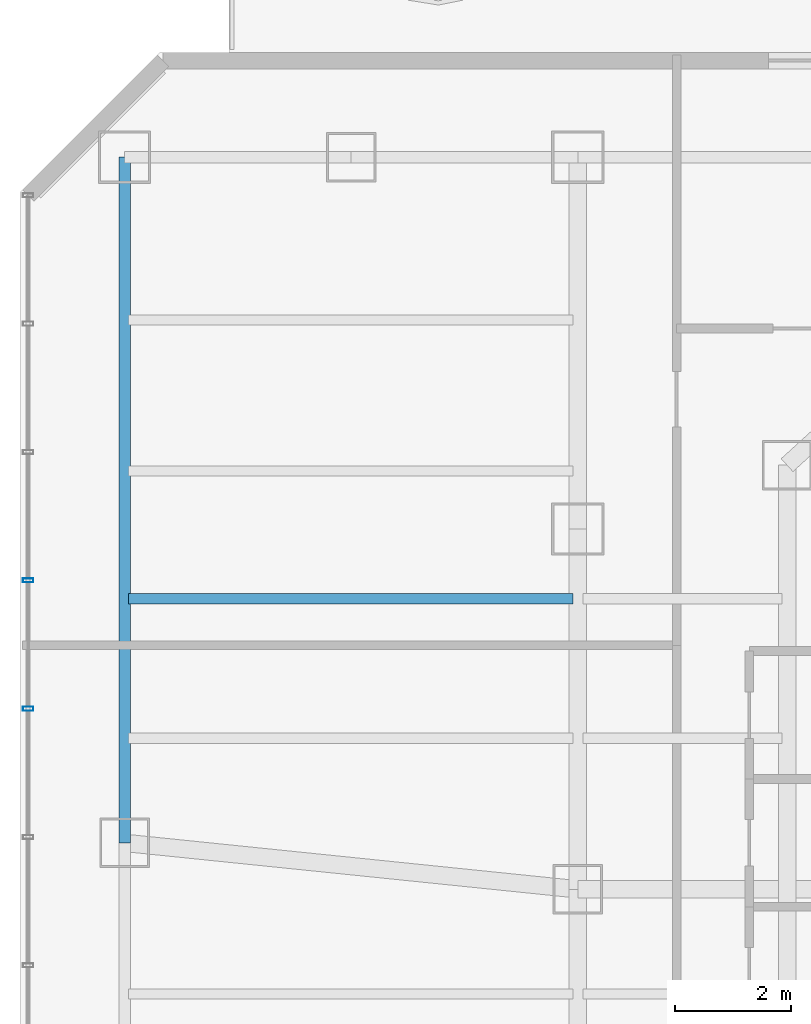
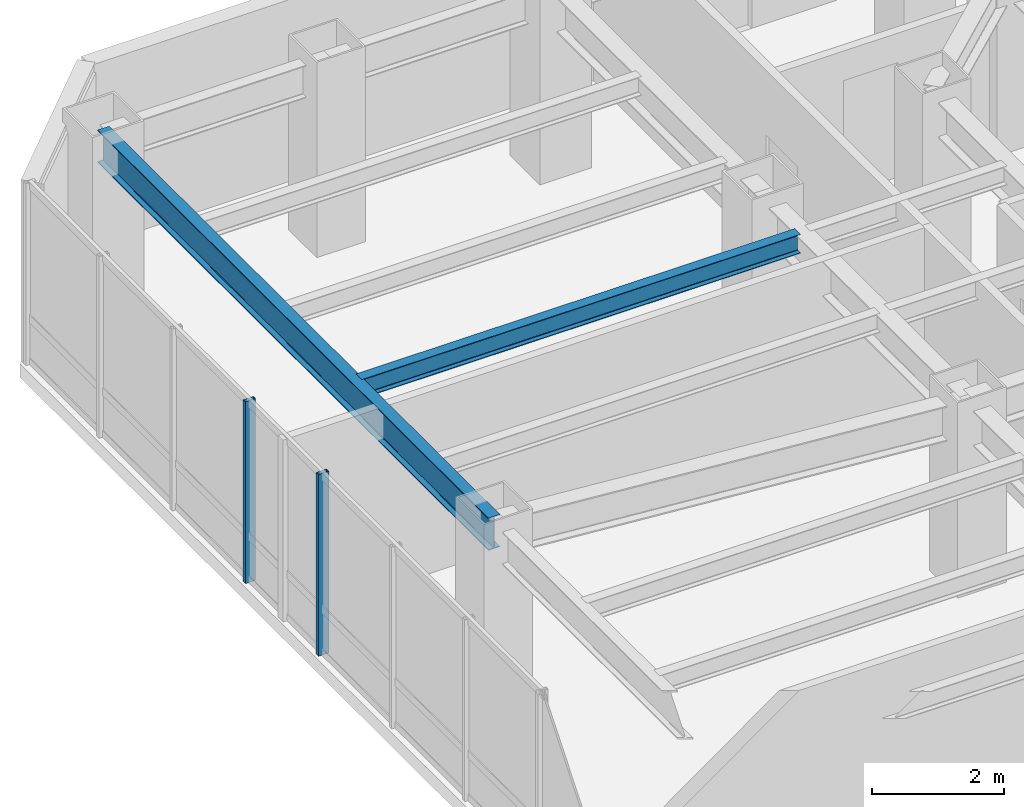
# One storey, part 15 of 30: 2 beams, 2 members, 1 element without a shape of its own.
"""IFC4 building model written with IfcOpenShell, lengths in metres."""

from ifc_helpers import new_model, si_unit, direction, frame, origin, origin_2d, place, context, subcontext, project, spatial, hollow_rectangle, i_section, extrude, material, layer, layer_set, material_profile, profile_set, type_object, element, aggregate, save


model = new_model("IFC4")

# Units and contexts
model_context = context("Model", 3, precision=1e-05, world=origin(), true_north=direction((0.0, 1.0)))
body_context = subcontext(model_context, "Body", "Model", "MODEL_VIEW")
ifc_project = project(units=[si_unit("LENGTHUNIT", "METRE"), si_unit("AREAUNIT", "SQUARE_METRE"), si_unit("VOLUMEUNIT", "CUBIC_METRE"), si_unit("PLANEANGLEUNIT", "RADIAN"), si_unit("MASSUNIT", "GRAM", prefix="KILO")], contexts=[model_context])

# Site, building, storey
site_placement = place(None, origin())
site = spatial("IfcSite", under=ifc_project, at=site_placement, CompositionType="ELEMENT")
building_placement = place(site_placement, origin())
building = spatial("IfcBuilding", under=site, at=building_placement, Name="Hatsunagi Terrace Concourse", CompositionType="ELEMENT")
storey_placement = place(building_placement, frame((0.0, 0.0, 101.25)))
storey = spatial("IfcBuildingStorey", under=building, at=storey_placement, Name="L26", CompositionType="ELEMENT", Elevation=101.25)

# Curtain wall, members
ifc_material_1 = material(Name="Anodised Aluminium Alloy 6063-T5", Category="aluminium")
ifc_layer = layer(ifc_material_1, 0.199951171875)
ifc_layer_set = layer_set([ifc_layer], Name="OfficeZone1_CW03")
curtain_wall_type = type_object("IfcCurtainWallType", Name="OfficeZone1_CW03", PredefinedType="NOTDEFINED", material=ifc_layer_set)
curtain_wall_placement = place(storey_placement, origin())
curtain_wall = element("IfcCurtainWall", 1, at=curtain_wall_placement, inside=storey, type_object=curtain_wall_type, Name="Unitised Curtain Wall CW-03 CW-L26-09", PredefinedType="NOTDEFINED")
ifc_material_2 = material(Name="Anodised Aluminium Alloy 6063-T5", Category="aluminium")
ifc_material_profile_1 = material_profile(ifc_material_2, hollow_rectangle(XDim=0.070068359375, YDim=0.179931640625, WallThickness=0.00390625, at=origin_2d()), Name="ALU-MUL-180x70x4")
ifc_profile_set_1 = profile_set([ifc_material_profile_1], Name="Anodised Aluminium Alloy 6063-T5")
member_type = type_object("IfcMemberType", Name="CurtainWallMullion_180x70", PredefinedType="MULLION", material=ifc_profile_set_1)
member_1_placement = place(storey_placement, frame((9.739990234375, 39.10791015625, 0.0), z_axis=(0.0, 0.0, 1.0), x_axis=(0.0, 1.0, 0.0)))
member_1 = element("IfcMember", 2, at=member_1_placement, type_object=member_type, Name="Curtain Wall Mullion MUL-02", PredefinedType="MULLION", context=body_context, shape_type="SweptSolid", body=[
    extrude(hollow_rectangle(XDim=0.070068359375, YDim=0.179931640625, WallThickness=0.00390625, at=origin_2d()), origin(), (0.0, 0.0, 1.0), 3.35009765625),
])
member_2_placement = place(storey_placement, frame((9.739990234375, 41.31689453125, 0.0), z_axis=(0.0, 0.0, 1.0), x_axis=(0.0, 1.0, 0.0)))
member_2 = element("IfcMember", 3, at=member_2_placement, type_object=member_type, Name="Curtain Wall Mullion MUL-02", PredefinedType="MULLION", context=body_context, shape_type="SweptSolid", body=[
    extrude(hollow_rectangle(XDim=0.070068359375, YDim=0.179931640625, WallThickness=0.00390625, at=origin_2d()), origin(), (0.0, 0.0, 1.0), 3.35009765625),
])
aggregate(curtain_wall, [member_1, member_2])

# Beams
ifc_material_3 = material(Name="Steel SN490B", Category="steel")
ifc_material_profile_2 = material_profile(ifc_material_3, i_section(OverallWidth=0.175048828125, OverallDepth=0.35009765625, WebThickness=0.007080078125, FlangeThickness=0.010986328125, FilletRadius=0.012939453125, at=origin_2d()), Name="H-350x175x7x11")
ifc_profile_set_2 = profile_set([ifc_material_profile_2], Name="Steel SN490B")
beam_type_1 = type_object("IfcBeamType", Name="HotelJoist_H_350x175", PredefinedType="JOIST", material=ifc_profile_set_2)
beam_1_placement = place(storey_placement, frame((11.465087890625, 41.0, 3.175048828125), z_axis=(1.0, 0.0, 0.0), x_axis=(0.0, 1.0, 0.0)))
element("IfcBeam", 4, at=beam_1_placement, inside=storey, type_object=beam_type_1, Name="Beam J-02 J-L26-W-11-410", PredefinedType="JOIST", context=body_context, shape_type="SweptSolid", body=[
    extrude(i_section(OverallWidth=0.175048828125, OverallDepth=0.35009765625, WebThickness=0.007080078125, FlangeThickness=0.010986328125, FilletRadius=0.012939453125, at=origin_2d()), origin(), (0.0, 0.0, 1.0), 7.64990234375),
])
ifc_material_4 = material(Name="Steel SN490B", Category="steel")
ifc_material_profile_3 = material_profile(ifc_material_4, i_section(OverallWidth=0.199951171875, OverallDepth=0.60009765625, WebThickness=0.010986328125, FlangeThickness=0.01708984375, FilletRadius=0.01806640625, at=origin_2d()), Name="H-600x200x11x17")
ifc_profile_set_3 = profile_set([ifc_material_profile_3], Name="Steel SN490B")
beam_type_2 = type_object("IfcBeamType", Name="PerimeterSpandrel_H_600x200", PredefinedType="SPANDREL", material=ifc_profile_set_3)
beam_2_placement = place(storey_placement, frame((11.39990234375, 36.800048828125, 3.050048828125), z_axis=(0.0, 1.0, 0.0), x_axis=(-1.0, 0.0, 0.0)))
element("IfcBeam", 5, at=beam_2_placement, inside=storey, type_object=beam_type_2, Name="Beam SP-01 BM-L26-NS-11-36", PredefinedType="SPANDREL", context=body_context, shape_type="SweptSolid", body=[
    extrude(i_section(OverallWidth=0.199951171875, OverallDepth=0.60009765625, WebThickness=0.010986328125, FlangeThickness=0.01708984375, FilletRadius=0.01806640625, at=origin_2d()), origin(), (0.0, 0.0, 1.0), 11.800048828125),
])

save(model, "model.ifc")
